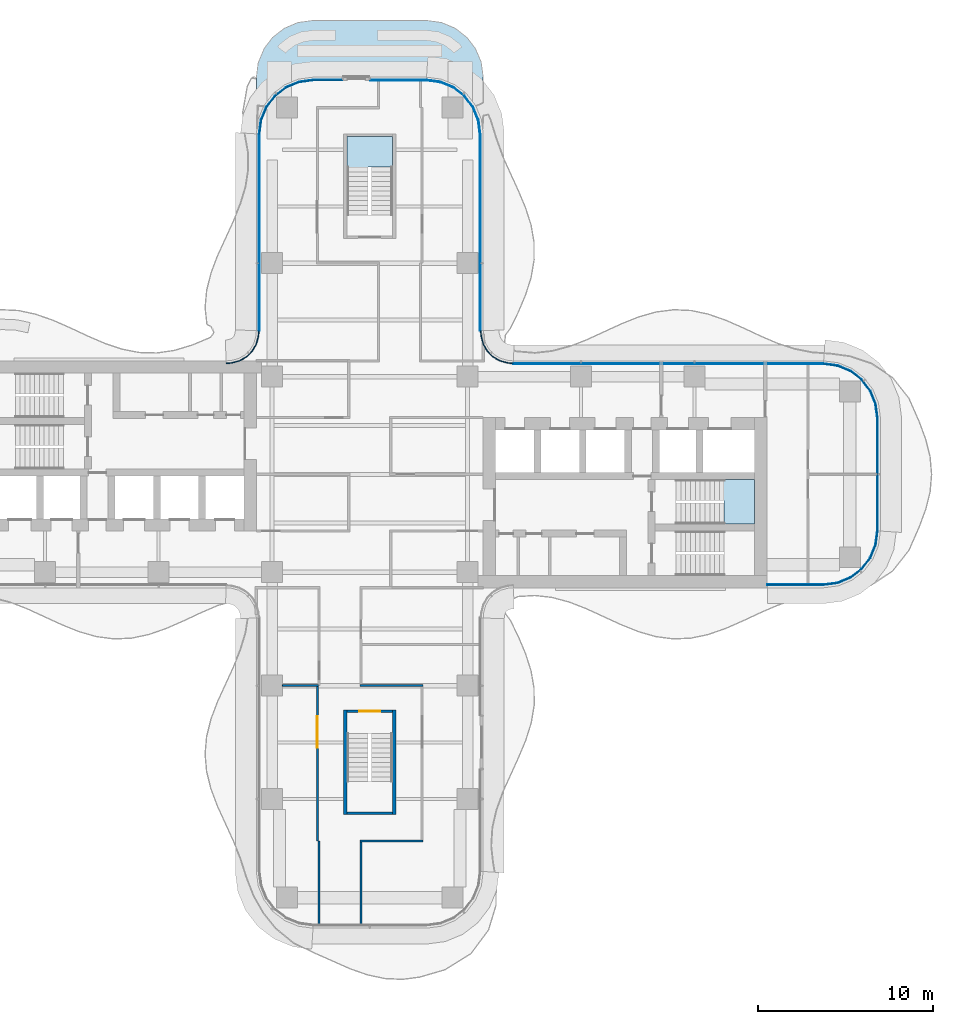
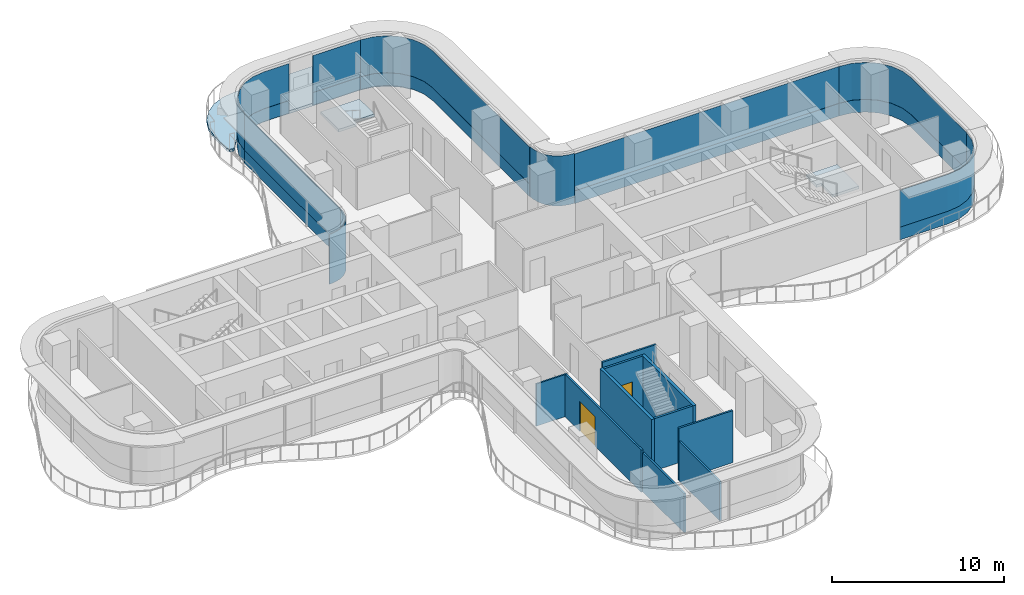
# One storey, part 11 of 17: 16 plates, 10 walls, 3 slabs, 2 doors, 2 openings, 11 elements without a shape of their own.
"""IFC4 building model written with IfcOpenShell, lengths in metres."""

from ifc_helpers import new_model, si_unit, direction, frame, frame_2d, origin, place, context, subcontext, project, spatial, polyline, rectangle, outline, extrude, source, transform, mapped, material, layer, layer_set, type_object, element, fill, aggregate, save


model = new_model("IFC4")

# Units and contexts
model_context = context("Model", 3, precision=1e-05, world=origin(), true_north=direction((0.0, 1.0)))
body_context = subcontext(model_context, "Body", "Model", "MODEL_VIEW")
ifc_project = project(units=[si_unit("LENGTHUNIT", "METRE"), si_unit("AREAUNIT", "SQUARE_METRE"), si_unit("VOLUMEUNIT", "CUBIC_METRE"), si_unit("PLANEANGLEUNIT", "RADIAN"), si_unit("MASSUNIT", "GRAM", prefix="KILO")], contexts=[model_context])

# Site, building, storey
site_placement = place(None, origin())
site = spatial("IfcSite", under=ifc_project, at=site_placement, CompositionType="ELEMENT")
building_placement = place(site_placement, origin())
building = spatial("IfcBuilding", under=site, at=building_placement, Name="Trellis Farm Tower", CompositionType="ELEMENT")
storey_placement = place(building_placement, frame((0.0, 0.0, 185.39990234375)))
storey = spatial("IfcBuildingStorey", under=building, at=storey_placement, Name="L40", CompositionType="ELEMENT", Elevation=185.39990234375)

# Curtain wall, plate
ifc_material_1 = material(Name="Aluminium and glass curtain wall", Category="aluminium")
ifc_layer_1 = layer(ifc_material_1, 0.18994140625)
ifc_layer_set_1 = layer_set([ifc_layer_1], Name="RIBBON CURTAIN WALL CW1")
curtain_wall_type_1 = type_object("IfcCurtainWallType", Name="RIBBON CURTAIN WALL CW1", PredefinedType="NOTDEFINED", material=ifc_layer_set_1)
placement_1 = place(storey_placement, origin())
curtain_wall_1 = element("IfcCurtainWall", 1, at=placement_1, inside=storey, type_object=curtain_wall_type_1, Name="CW1 010", PredefinedType="NOTDEFINED")
ifc_material_2 = material(Name="Clear insulated glass", Category="glass")
ifc_layer_2 = layer(ifc_material_2, 0.0400390625)
ifc_layer_set_2 = layer_set([ifc_layer_2], Name="CW1 GLASS PANEL 40")
plate_type_1 = type_object("IfcPlateType", Name="CW1 GLASS PANEL 40", PredefinedType="CURTAIN_PANEL", material=ifc_layer_set_2)
placement_2 = place(storey_placement, frame((0.0, 0.0, 0.900146484375)))
plate_1 = element("IfcPlate", 2, at=placement_2, type_object=plate_type_1, Name="PL1 010", PredefinedType="CURTAIN_PANEL", context=body_context, shape_type="SweptSolid", body=[
    extrude(outline(polyline([(3.240234375, 22.60009765625), (0.0400390625, 22.60009765625), (0.0400390625, 22.56005859375), (3.237548828125, 22.56005859375), (3.240234375, 22.60009765625)])), origin(), (0.0, 0.0, 1.0), 2.619873046875),
])

curtain_wall_2 = element("IfcCurtainWall", 3, at=placement_1, inside=storey, type_object=curtain_wall_type_1, Name="CW1 011", PredefinedType="NOTDEFINED")
plate_2 = element("IfcPlate", 4, at=placement_2, type_object=plate_type_1, Name="PL1 011", PredefinedType="CURTAIN_PANEL", context=body_context, shape_type="SweptSolid", body=[
    extrude(outline(polyline([(-1.580078125, 22.60009765625), (-3.240234375, 22.60009765625), (-4.052001953125, 22.4931640625), (-4.79931640625, 22.18359375), (-5.441162109375, 21.691162109375), (-5.93359375, 21.04931640625), (-6.2431640625, 20.302001953125), (-6.35009765625, 19.490234375), (-6.31005859375, 19.487548828125), (-6.2041015625, 20.29150390625), (-5.898681640625, 21.029296875), (-5.41259765625, 21.66259765625), (-4.779296875, 22.148681640625), (-4.04150390625, 22.4541015625), (-3.237548828125, 22.56005859375), (-1.580078125, 22.56005859375), (-1.580078125, 22.60009765625)])), origin(), (0.0, 0.0, 1.0), 2.619873046875),
])

# Plate
ifc_material_3 = material(Name="Sandstone faced insulated panel", Category="masonry")
ifc_layer_3 = layer(ifc_material_3, 0.050048828125)
ifc_layer_set_3 = layer_set([ifc_layer_3], Name="CW1 STONE SPANDREL PANEL 50")
plate_type_2 = type_object("IfcPlateType", Name="CW1 STONE SPANDREL PANEL 50", PredefinedType="CURTAIN_PANEL", material=ifc_layer_set_3)
plate_3 = element("IfcPlate", 5, at=placement_1, type_object=plate_type_2, Name="PS1 010", PredefinedType="CURTAIN_PANEL", context=body_context, shape_type="SweptSolid", body=[
    extrude(outline(polyline([(3.240234375, 22.60009765625), (0.0400390625, 22.60009765625), (0.0400390625, 22.550048828125), (3.23681640625, 22.550048828125), (3.240234375, 22.60009765625)])), origin(), (0.0, 0.0, 1.0), 0.900146484375),
])

aggregate(curtain_wall_1, [plate_1, plate_3])

plate_4 = element("IfcPlate", 6, at=placement_1, type_object=plate_type_2, Name="PS1 011", PredefinedType="CURTAIN_PANEL", context=body_context, shape_type="SweptSolid", body=[
    extrude(outline(polyline([(-1.580078125, 22.60009765625), (-3.240234375, 22.60009765625), (-4.052001953125, 22.4931640625), (-4.79931640625, 22.18359375), (-5.441162109375, 21.691162109375), (-5.93359375, 21.04931640625), (-6.2431640625, 20.302001953125), (-6.35009765625, 19.490234375), (-6.300048828125, 19.48681640625), (-6.1943359375, 20.2890625), (-5.889892578125, 21.024169921875), (-5.405517578125, 21.655517578125), (-4.774169921875, 22.139892578125), (-4.0390625, 22.4443359375), (-3.23681640625, 22.550048828125), (-1.580078125, 22.550048828125), (-1.580078125, 22.60009765625)])), origin(), (0.0, 0.0, 1.0), 0.900146484375),
])

aggregate(curtain_wall_2, [plate_2, plate_4])

# Slab
ifc_material_4 = material(Name="Concrete C40/50", Category="concrete")
ifc_layer_4 = layer(ifc_material_4, 0.199951171875)
ifc_layer_set_4 = layer_set([ifc_layer_4], Name="Terrace slab on composite deck 200")
slab_type_1 = type_object("IfcSlabType", Name="Terrace slab on composite deck 200", PredefinedType="FLOOR", material=ifc_layer_set_4)
slab_1_placement = place(storey_placement, frame((0.0, 0.0, -0.199951171875)))
element("IfcSlab", 7, at=slab_1_placement, inside=storey, type_object=slab_type_1, Name="Terrace slab", PredefinedType="FLOOR", context=body_context, shape_type="SweptSolid", body=[
    extrude(outline(polyline([(-6.4189453125, 21.109619140625), (-6.5, 21.2939453125), (-6.5, 22.733642578125), (-6.497802734375, 22.76611328125), (-6.3935546875, 23.55859375), (-6.376708984375, 23.62158203125), (-6.0771484375, 24.344482421875), (-6.04443359375, 24.401123046875), (-5.568115234375, 25.02197265625), (-5.52197265625, 25.068115234375), (-4.901123046875, 25.54443359375), (-4.844482421875, 25.5771484375), (-4.12158203125, 25.876708984375), (-4.05859375, 25.8935546875), (-3.26611328125, 25.997802734375), (-3.233642578125, 26.0), (3.233642578125, 26.0), (3.26611328125, 25.997802734375), (4.05859375, 25.8935546875), (4.12158203125, 25.876708984375), (4.844482421875, 25.5771484375), (4.901123046875, 25.54443359375), (5.52197265625, 25.068115234375), (5.568115234375, 25.02197265625), (6.04443359375, 24.401123046875), (6.0771484375, 24.344482421875), (6.376708984375, 23.62158203125), (6.3935546875, 23.55859375), (6.497802734375, 22.76611328125), (6.5, 22.733642578125), (6.5, 21.2939453125), (6.4189453125, 21.109619140625), (6.228271484375, 21.044921875), (6.052978515625, 21.14111328125), (5.548583984375, 21.798583984375), (4.875244140625, 22.315185546875), (4.09130859375, 22.639892578125), (3.25, 22.75048828125), (-3.25, 22.75048828125), (-4.09130859375, 22.639892578125), (-4.875244140625, 22.315185546875), (-5.548583984375, 21.798583984375), (-6.052978515625, 21.14111328125), (-6.228271484375, 21.044921875), (-6.4189453125, 21.109619140625)])), origin(), (0.0, 0.0, 1.0), 0.199951171875),
])

# Stair, slab
ifc_material_5 = material(Name="Concrete C50/60", Category="concrete")
stair_type = type_object("IfcStairType", Name="CORE EXIT STAIR 22 RISERS 177 MM", PredefinedType="HALF_TURN_STAIR", material=ifc_material_5)
stair_1 = element("IfcStair", 8, at=placement_1, inside=storey, type_object=stair_type, Name="Exit stair N", PredefinedType="HALF_TURN_STAIR")
ifc_layer_5 = layer(ifc_material_5, 0.18994140625)
ifc_layer_set_5 = layer_set([ifc_layer_5], Name="CORE STAIR LANDING 190 CONCRETE C50/60")
slab_type_2 = type_object("IfcSlabType", Name="CORE STAIR LANDING 190 CONCRETE C50/60", PredefinedType="LANDING", material=ifc_layer_set_5)
shared_shape_1 = source(origin(), body_context, "Body", "SweptSolid", [
    extrude(outline(polyline([(-0.10009765625, 17.27197265625), (-1.300048828125, 17.27197265625), (-1.300048828125, 17.60009765625), (-1.300048828125, 19.35009765625), (1.300048828125, 19.35009765625), (1.300048828125, 17.60009765625), (1.300048828125, 17.590087890625), (0.10009765625, 17.590087890625), (0.10009765625, 17.60009765625), (-0.10009765625, 17.60009765625), (-0.10009765625, 17.27197265625)])), origin(), (0.0, 0.0, 1.0), 0.190185546875),
])
placement_3 = place(storey_placement, frame((0.0, 0.0, 1.760009765625)))
slab_2 = element("IfcSlab", 9, at=placement_3, type_object=slab_type_2, Name="STN landing 1", PredefinedType="LANDING", context=body_context, shape_type="MappedRepresentation", body=[
    mapped(shared_shape_1, transform((0.0, 0.0, 0.0))),
])
aggregate(stair_1, [slab_2])

stair_2 = element("IfcStair", 10, at=placement_1, inside=storey, type_object=stair_type, Name="Exit stair E2", PredefinedType="HALF_TURN_STAIR")
shared_shape_2 = source(origin(), body_context, "Body", "SweptSolid", [
    extrude(outline(polyline([(20.2900390625, -2.85009765625), (20.2900390625, -1.64990234375), (20.300048828125, -1.64990234375), (20.300048828125, -1.5), (19.971923828125, -1.5), (19.971923828125, -0.300048828125), (20.300048828125, -0.300048828125), (22.050048828125, -0.300048828125), (22.050048828125, -2.85009765625), (20.300048828125, -2.85009765625), (20.2900390625, -2.85009765625)])), origin(), (0.0, 0.0, 1.0), 0.190185546875),
])
slab_3 = element("IfcSlab", 11, at=placement_3, type_object=slab_type_2, Name="STE2 landing 1", PredefinedType="LANDING", context=body_context, shape_type="MappedRepresentation", body=[
    mapped(shared_shape_2, transform((0.0, 0.0, 0.0))),
])
aggregate(stair_2, [slab_3])

# Curtain wall, plate
ifc_layer_6 = layer(ifc_material_1, 0.166015625)
ifc_layer_set_6 = layer_set([ifc_layer_6], Name="WINTER GARDEN CURTAIN WALL CW3")
curtain_wall_type_2 = type_object("IfcCurtainWallType", Name="WINTER GARDEN CURTAIN WALL CW3", PredefinedType="NOTDEFINED", material=ifc_layer_set_6)
curtain_wall_3 = element("IfcCurtainWall", 12, at=placement_1, inside=storey, type_object=curtain_wall_type_2, Name="CW3 003", PredefinedType="NOTDEFINED")
ifc_layer_7 = layer(ifc_material_2, 0.0458984375)
ifc_layer_set_7 = layer_set([ifc_layer_7], Name="CW3 GLASS PANEL 46")
plate_type_3 = type_object("IfcPlateType", Name="CW3 GLASS PANEL 46", PredefinedType="CURTAIN_PANEL", material=ifc_layer_set_7)
shared_shape_3 = source(origin(), body_context, "Body", "SweptSolid", [
    extrude(outline(polyline([(8.2275390625, 6.3798828125), (8.0078125, 6.394287109375), (7.89208984375, 6.40966796875), (7.462158203125, 6.52490234375), (7.070556640625, 6.7509765625), (6.7509765625, 7.070556640625), (6.52490234375, 7.462158203125), (6.40966796875, 7.89208984375), (6.394287109375, 8.0078125), (6.3798828125, 8.2275390625), (6.333984375, 8.22607421875), (6.3486328125, 8.003173828125), (6.364501953125, 7.883056640625), (6.48193359375, 7.4443359375), (6.714111328125, 7.04248046875), (7.04248046875, 6.714111328125), (7.4443359375, 6.48193359375), (7.883056640625, 6.364501953125), (8.003173828125, 6.3486328125), (8.22607421875, 6.333984375), (8.2275390625, 6.3798828125)])), origin(), (0.0, 0.0, 1.0), 3.550048828125),
])
plate_5 = element("IfcPlate", 13, at=placement_1, type_object=plate_type_3, Name="PL3 003", PredefinedType="CURTAIN_PANEL", context=body_context, shape_type="MappedRepresentation", body=[
    mapped(shared_shape_3, transform((0.0, 0.0, 0.0))),
])
aggregate(curtain_wall_3, [plate_5])

curtain_wall_4 = element("IfcCurtainWall", 14, at=placement_1, inside=storey, type_object=curtain_wall_type_2, Name="CW3 004", PredefinedType="NOTDEFINED")
shared_shape_4 = source(origin(), body_context, "Body", "SweptSolid", [
    extrude(outline(polyline([(-6.3798828125, 8.2275390625), (-6.394287109375, 8.0078125), (-6.40966796875, 7.89208984375), (-6.52490234375, 7.462158203125), (-6.7509765625, 7.070556640625), (-7.070556640625, 6.7509765625), (-7.462158203125, 6.52490234375), (-7.89208984375, 6.40966796875), (-8.0078125, 6.394287109375), (-8.2275390625, 6.3798828125), (-8.22607421875, 6.333984375), (-8.003173828125, 6.3486328125), (-7.883056640625, 6.364501953125), (-7.4443359375, 6.48193359375), (-7.04248046875, 6.714111328125), (-6.714111328125, 7.04248046875), (-6.48193359375, 7.4443359375), (-6.364501953125, 7.883056640625), (-6.3486328125, 8.003173828125), (-6.333984375, 8.22607421875), (-6.3798828125, 8.2275390625)])), origin(), (0.0, 0.0, 1.0), 3.550048828125),
])
plate_6 = element("IfcPlate", 15, at=placement_1, type_object=plate_type_3, Name="PL3 004", PredefinedType="CURTAIN_PANEL", context=body_context, shape_type="MappedRepresentation", body=[
    mapped(shared_shape_4, transform((0.0, 0.0, 0.0))),
])
aggregate(curtain_wall_4, [plate_6])

# Curtain wall, plates
curtain_wall_5 = element("IfcCurtainWall", 16, at=placement_1, inside=storey, type_object=curtain_wall_type_1, Name="CW1 006", PredefinedType="NOTDEFINED")
shared_shape_5 = source(origin(), body_context, "Body", "SweptSolid", [
    extrude(outline(polyline([(22.780029296875, -6.35009765625), (25.990234375, -6.35009765625), (26.802001953125, -6.2431640625), (27.54931640625, -5.93359375), (28.191162109375, -5.441162109375), (28.68359375, -4.79931640625), (28.9931640625, -4.052001953125), (29.10009765625, -3.240234375), (29.06005859375, -3.237548828125), (28.9541015625, -4.04150390625), (28.648681640625, -4.779296875), (28.16259765625, -5.41259765625), (27.529296875, -5.898681640625), (26.79150390625, -6.2041015625), (25.987548828125, -6.31005859375), (22.780029296875, -6.31005859375), (22.780029296875, -6.35009765625)])), origin(), (0.0, 0.0, 1.0), 2.619873046875),
])
plate_7 = element("IfcPlate", 17, at=placement_2, type_object=plate_type_1, Name="PL1 006", PredefinedType="CURTAIN_PANEL", context=body_context, shape_type="MappedRepresentation", body=[
    mapped(shared_shape_5, transform((0.0, 0.0, 0.0))),
])
shared_shape_6 = source(origin(), body_context, "Body", "SweptSolid", [
    extrude(outline(polyline([(22.780029296875, -6.35009765625), (25.990234375, -6.35009765625), (26.802001953125, -6.2431640625), (27.54931640625, -5.93359375), (28.191162109375, -5.441162109375), (28.68359375, -4.79931640625), (28.9931640625, -4.052001953125), (29.10009765625, -3.240234375), (29.050048828125, -3.23681640625), (28.9443359375, -4.0390625), (28.639892578125, -4.774169921875), (28.155517578125, -5.405517578125), (27.524169921875, -5.889892578125), (26.7890625, -6.1943359375), (25.98681640625, -6.300048828125), (22.780029296875, -6.300048828125), (22.780029296875, -6.35009765625)])), origin(), (0.0, 0.0, 1.0), 0.900146484375),
])
plate_8 = element("IfcPlate", 18, at=placement_1, type_object=plate_type_2, Name="PS1 006", PredefinedType="CURTAIN_PANEL", context=body_context, shape_type="MappedRepresentation", body=[
    mapped(shared_shape_6, transform((0.0, 0.0, 0.0))),
])
aggregate(curtain_wall_5, [plate_7, plate_8])

curtain_wall_6 = element("IfcCurtainWall", 19, at=placement_1, inside=storey, type_object=curtain_wall_type_1, Name="CW1 007", PredefinedType="NOTDEFINED")
shared_shape_7 = source(origin(), body_context, "Body", "SweptSolid", [
    extrude(outline(polyline([(29.10009765625, -3.240234375), (29.10009765625, 3.240234375), (28.9931640625, 4.052001953125), (28.68359375, 4.79931640625), (28.191162109375, 5.441162109375), (27.54931640625, 5.93359375), (26.802001953125, 6.2431640625), (25.990234375, 6.35009765625), (25.987548828125, 6.31005859375), (26.79150390625, 6.2041015625), (27.529296875, 5.898681640625), (28.16259765625, 5.41259765625), (28.648681640625, 4.779296875), (28.9541015625, 4.04150390625), (29.06005859375, 3.237548828125), (29.06005859375, -3.237548828125), (29.10009765625, -3.240234375)])), origin(), (0.0, 0.0, 1.0), 2.619873046875),
])
plate_9 = element("IfcPlate", 20, at=placement_2, type_object=plate_type_1, Name="PL1 007", PredefinedType="CURTAIN_PANEL", context=body_context, shape_type="MappedRepresentation", body=[
    mapped(shared_shape_7, transform((0.0, 0.0, 0.0))),
])
shared_shape_8 = source(origin(), body_context, "Body", "SweptSolid", [
    extrude(outline(polyline([(29.10009765625, -3.240234375), (29.10009765625, 3.240234375), (28.9931640625, 4.052001953125), (28.68359375, 4.79931640625), (28.191162109375, 5.441162109375), (27.54931640625, 5.93359375), (26.802001953125, 6.2431640625), (25.990234375, 6.35009765625), (25.98681640625, 6.300048828125), (26.7890625, 6.1943359375), (27.524169921875, 5.889892578125), (28.155517578125, 5.405517578125), (28.639892578125, 4.774169921875), (28.9443359375, 4.0390625), (29.050048828125, 3.23681640625), (29.050048828125, -3.23681640625), (29.10009765625, -3.240234375)])), origin(), (0.0, 0.0, 1.0), 0.900146484375),
])
plate_10 = element("IfcPlate", 21, at=placement_1, type_object=plate_type_2, Name="PS1 007", PredefinedType="CURTAIN_PANEL", context=body_context, shape_type="MappedRepresentation", body=[
    mapped(shared_shape_8, transform((0.0, 0.0, 0.0))),
])
aggregate(curtain_wall_6, [plate_9, plate_10])

curtain_wall_7 = element("IfcCurtainWall", 22, at=placement_1, inside=storey, type_object=curtain_wall_type_1, Name="CW1 008", PredefinedType="NOTDEFINED")
shared_shape_9 = source(origin(), body_context, "Body", "SweptSolid", [
    extrude(outline(polyline([(25.990234375, 6.35009765625), (8.2265625, 6.35009765625), (8.22509765625, 6.31005859375), (25.987548828125, 6.31005859375), (25.990234375, 6.35009765625)])), origin(), (0.0, 0.0, 1.0), 2.619873046875),
])
plate_11 = element("IfcPlate", 23, at=placement_2, type_object=plate_type_1, Name="PL1 008", PredefinedType="CURTAIN_PANEL", context=body_context, shape_type="MappedRepresentation", body=[
    mapped(shared_shape_9, transform((0.0, 0.0, 0.0))),
])
shared_shape_10 = source(origin(), body_context, "Body", "SweptSolid", [
    extrude(outline(polyline([(25.990234375, 6.35009765625), (8.2265625, 6.35009765625), (8.224853515625, 6.300048828125), (25.98681640625, 6.300048828125), (25.990234375, 6.35009765625)])), origin(), (0.0, 0.0, 1.0), 0.900146484375),
])
plate_12 = element("IfcPlate", 24, at=placement_1, type_object=plate_type_2, Name="PS1 008", PredefinedType="CURTAIN_PANEL", context=body_context, shape_type="MappedRepresentation", body=[
    mapped(shared_shape_10, transform((0.0, 0.0, 0.0))),
])
aggregate(curtain_wall_7, [plate_11, plate_12])

curtain_wall_8 = element("IfcCurtainWall", 25, at=placement_1, inside=storey, type_object=curtain_wall_type_1, Name="CW1 009", PredefinedType="NOTDEFINED")
shared_shape_11 = source(origin(), body_context, "Body", "SweptSolid", [
    extrude(outline(polyline([(6.35009765625, 8.2265625), (6.35009765625, 19.490234375), (6.2431640625, 20.302001953125), (5.93359375, 21.04931640625), (5.441162109375, 21.691162109375), (4.79931640625, 22.18359375), (4.052001953125, 22.4931640625), (3.240234375, 22.60009765625), (3.237548828125, 22.56005859375), (4.04150390625, 22.4541015625), (4.779296875, 22.148681640625), (5.41259765625, 21.66259765625), (5.898681640625, 21.029296875), (6.2041015625, 20.29150390625), (6.31005859375, 19.487548828125), (6.31005859375, 8.22509765625), (6.35009765625, 8.2265625)])), origin(), (0.0, 0.0, 1.0), 2.619873046875),
])
plate_13 = element("IfcPlate", 26, at=placement_2, type_object=plate_type_1, Name="PL1 009", PredefinedType="CURTAIN_PANEL", context=body_context, shape_type="MappedRepresentation", body=[
    mapped(shared_shape_11, transform((0.0, 0.0, 0.0))),
])
shared_shape_12 = source(origin(), body_context, "Body", "SweptSolid", [
    extrude(outline(polyline([(6.35009765625, 8.2265625), (6.35009765625, 19.490234375), (6.2431640625, 20.302001953125), (5.93359375, 21.04931640625), (5.441162109375, 21.691162109375), (4.79931640625, 22.18359375), (4.052001953125, 22.4931640625), (3.240234375, 22.60009765625), (3.23681640625, 22.550048828125), (4.0390625, 22.4443359375), (4.774169921875, 22.139892578125), (5.405517578125, 21.655517578125), (5.889892578125, 21.024169921875), (6.1943359375, 20.2890625), (6.300048828125, 19.48681640625), (6.300048828125, 8.224853515625), (6.35009765625, 8.2265625)])), origin(), (0.0, 0.0, 1.0), 0.900146484375),
])
plate_14 = element("IfcPlate", 27, at=placement_1, type_object=plate_type_2, Name="PS1 009", PredefinedType="CURTAIN_PANEL", context=body_context, shape_type="MappedRepresentation", body=[
    mapped(shared_shape_12, transform((0.0, 0.0, 0.0))),
])
aggregate(curtain_wall_8, [plate_13, plate_14])

curtain_wall_9 = element("IfcCurtainWall", 28, at=placement_1, inside=storey, type_object=curtain_wall_type_1, Name="CW1 012", PredefinedType="NOTDEFINED")
shared_shape_13 = source(origin(), body_context, "Body", "SweptSolid", [
    extrude(outline(polyline([(-6.35009765625, 19.490234375), (-6.35009765625, 8.2265625), (-6.31005859375, 8.22509765625), (-6.31005859375, 19.487548828125), (-6.35009765625, 19.490234375)])), origin(), (0.0, 0.0, 1.0), 2.619873046875),
])
plate_15 = element("IfcPlate", 29, at=placement_2, type_object=plate_type_1, Name="PL1 012", PredefinedType="CURTAIN_PANEL", context=body_context, shape_type="MappedRepresentation", body=[
    mapped(shared_shape_13, transform((0.0, 0.0, 0.0))),
])
shared_shape_14 = source(origin(), body_context, "Body", "SweptSolid", [
    extrude(outline(polyline([(-6.35009765625, 19.490234375), (-6.35009765625, 8.2265625), (-6.300048828125, 8.224853515625), (-6.300048828125, 19.48681640625), (-6.35009765625, 19.490234375)])), origin(), (0.0, 0.0, 1.0), 0.900146484375),
])
plate_16 = element("IfcPlate", 30, at=placement_1, type_object=plate_type_2, Name="PS1 012", PredefinedType="CURTAIN_PANEL", context=body_context, shape_type="MappedRepresentation", body=[
    mapped(shared_shape_14, transform((0.0, 0.0, 0.0))),
])
aggregate(curtain_wall_9, [plate_15, plate_16])

# Walls
ifc_material_6 = material(Name="Concrete C70/85", Category="concrete")
ifc_layer_8 = layer(ifc_material_6, 0.199951171875)
ifc_layer_set_8 = layer_set([ifc_layer_8], Name="CORE STAIR ENCLOSURE WALL 200 CONCRETE C70/85")
wall_type_1 = type_object("IfcWallType", Name="CORE STAIR ENCLOSURE WALL 200 CONCRETE C70/85", PredefinedType="SHEAR", material=ifc_layer_set_8)
shared_shape_15 = source(origin(), body_context, "Body", "SweptSolid", [
    extrude(rectangle(XDim=6.0, YDim=0.199951171875, at=frame_2d((3.0, 0.0))), origin(), (0.0, 0.0, 1.0), 3.7001953125),
])
for number, where, z_axis, x_axis, name in (
    (31, (1.39990234375, -13.5, 0.0), (0.0, 0.0, 1.0), (0.0, -1.0, 0.0), "Stair enclosure wall"),
    (32, (-1.39990234375, -13.5, 0.0), (0.0, 0.0, 1.0), (0.0, -1.0, 0.0), "Stair enclosure wall"),
):
    element("IfcWall", number, at=place(storey_placement, frame(where, z_axis=z_axis, x_axis=x_axis)), inside=storey, type_object=wall_type_1, Name=name, PredefinedType="SHEAR", context=body_context, shape_type="MappedRepresentation", body=[
        mapped(shared_shape_15, transform((0.0, 0.0, 0.0))),
    ])

# Wall, opening, door
ifc_layer_9 = layer(ifc_material_6, 0.14990234375)
ifc_layer_set_9 = layer_set([ifc_layer_9], Name="CORE STAIR ENCLOSURE WALL 150 CONCRETE C70/85")
wall_type_2 = type_object("IfcWallType", Name="CORE STAIR ENCLOSURE WALL 150 CONCRETE C70/85", PredefinedType="SHEAR", material=ifc_layer_set_9)
shared_shape_16 = source(origin(), body_context, "Body", "SweptSolid", [
    extrude(rectangle(XDim=2.60009765625, YDim=0.14990234375, at=frame_2d((1.300048828125, 0.0))), origin(), (0.0, 0.0, 1.0), 3.7001953125),
])
wall_1_placement = place(storey_placement, frame((1.300048828125, -13.574951171875, 0.0), z_axis=(0.0, 0.0, 1.0), x_axis=(-1.0, 0.0, 0.0)))
wall_1 = element("IfcWall", 33, at=wall_1_placement, inside=storey, type_object=wall_type_2, Name="Stair enclosure wall", PredefinedType="SHEAR", context=body_context, shape_type="MappedRepresentation", body=[
    mapped(shared_shape_16, transform((0.0, 0.0, 0.0))),
])
shared_shape_17 = source(origin(), body_context, "Body", "SweptSolid", [
    extrude(rectangle(XDim=1.199951171875, YDim=2.10009765625, at=frame_2d((0.60009765625, 1.050048828125))), frame((0.0, 0.0849609375, 0.0), z_axis=(0.0, -1.0, 0.0), x_axis=(1.0, 0.0, 0.0)), (0.0, 0.0, 1.0), 0.169921875),
])
opening_1_placement = place(wall_1_placement, frame((0.699951171875, 0.0, 0.0)))
opening_1 = element("IfcOpeningElement", 34, at=opening_1_placement, cuts=wall_1, Name="Opening DC174", PredefinedType="OPENING", context=body_context, shape_type="MappedRepresentation", body=[
    mapped(shared_shape_17, transform((0.0, 0.0, 0.0))),
])
ifc_material_7 = material(Name="Steel", Category="steel")
door_type_1 = type_object("IfcDoorType", Name="CORE FIRE DOOR 1200 X 2100", OperationType="NOTDEFINED", PredefinedType="DOOR", material=ifc_material_7)
shared_shape_18 = source(origin(), body_context, "Body", "SweptSolid", [
    extrude(rectangle(XDim=1.199951171875, YDim=2.10009765625, at=frame_2d((0.60009765625, 1.050048828125))), frame((0.0, 0.02490234375, 0.0), z_axis=(0.0, -1.0, 0.0), x_axis=(1.0, 0.0, 0.0)), (0.0, 0.0, 1.0), 0.050048828125),
])
door_1_placement = place(opening_1_placement, origin())
door_1 = element("IfcDoor", 35, at=door_1_placement, inside=storey, type_object=door_type_1, Name="Core door", OperationType="SINGLE_SWING_RIGHT", OverallHeight=2.10009765625, OverallWidth=1.199951171875, PredefinedType="DOOR", context=body_context, shape_type="MappedRepresentation", body=[
    mapped(shared_shape_18, transform((0.0, 0.0, 0.0))),
])
fill(opening_1, door_1)

# Walls
wall_2_placement = place(storey_placement, frame((1.300048828125, -19.425048828125, 0.0), z_axis=(0.0, 0.0, 1.0), x_axis=(-1.0, 0.0, 0.0)))
element("IfcWall", 36, at=wall_2_placement, inside=storey, type_object=wall_type_2, Name="Stair enclosure wall", PredefinedType="SHEAR", context=body_context, shape_type="MappedRepresentation", body=[
    mapped(shared_shape_16, transform((0.0, 0.0, 0.0))),
])
ifc_material_8 = material(Name="Plasterboard on steel studs", Category="steel")
ifc_layer_10 = layer(ifc_material_8, 0.10009765625)
ifc_layer_set_10 = layer_set([ifc_layer_10], Name="PARTITION 100 STUD EI 30")
wall_type_3 = type_object("IfcWallType", Name="PARTITION 100 STUD EI 30", PredefinedType="PARTITIONING", material=ifc_layer_set_10)
shared_shape_19 = source(origin(), body_context, "Body", "SweptSolid", [
    extrude(rectangle(XDim=2.0625, YDim=0.10009765625, at=frame_2d((1.03125, 0.0))), origin(), (0.0, 0.0, 1.0), 2.99658203125),
])
wall_3_placement = place(storey_placement, frame((-5.0, -12.10009765625, 0.0), z_axis=(0.0, 0.0, 1.0), x_axis=(1.0, 0.0, 0.0)))
element("IfcWall", 37, at=wall_3_placement, inside=storey, type_object=wall_type_3, Name="Partition PW2", PredefinedType="PARTITIONING", context=body_context, shape_type="MappedRepresentation", body=[
    mapped(shared_shape_19, transform((0.0, 0.0, 0.0))),
])
ifc_material_9 = material(Name="Plasterboard on steel studs, mineral wool", Category="steel")
ifc_layer_11 = layer(ifc_material_9, 0.125)
ifc_layer_set_11 = layer_set([ifc_layer_11], Name="PARTITION 125 STUD EI 60")
wall_type_4 = type_object("IfcWallType", Name="PARTITION 125 STUD EI 60", PredefinedType="PARTITIONING", material=ifc_layer_set_11)
shared_shape_20 = source(origin(), body_context, "Body", "SweptSolid", [
    extrude(rectangle(XDim=3.625, YDim=0.125, at=frame_2d((1.8125, 0.0))), origin(), (0.0, 0.0, 1.0), 2.99658203125),
])
wall_4_placement = place(storey_placement, frame((-0.5625, -12.10009765625, 0.0), z_axis=(0.0, 0.0, 1.0), x_axis=(1.0, 0.0, 0.0)))
element("IfcWall", 38, at=wall_4_placement, inside=storey, type_object=wall_type_4, Name="Partition PW1", PredefinedType="PARTITIONING", context=body_context, shape_type="MappedRepresentation", body=[
    mapped(shared_shape_20, transform((0.0, 0.0, 0.0))),
])

# Wall, opening, door
shared_shape_21 = source(origin(), body_context, "Body", "SweptSolid", [
    extrude(rectangle(XDim=8.85009765625, YDim=0.125, at=frame_2d((4.425048828125, 0.0))), origin(), (0.0, 0.0, 1.0), 2.99658203125),
])
wall_5_placement = place(storey_placement, frame((-3.0, -21.0, 0.0), z_axis=(0.0, 0.0, 1.0), x_axis=(0.0, 1.0, 0.0)))
wall_5 = element("IfcWall", 39, at=wall_5_placement, inside=storey, type_object=wall_type_4, Name="Partition PW1", PredefinedType="PARTITIONING", context=body_context, shape_type="MappedRepresentation", body=[
    mapped(shared_shape_21, transform((0.0, 0.0, 0.0))),
])
shared_shape_22 = source(origin(), body_context, "Body", "SweptSolid", [
    extrude(rectangle(XDim=1.800048828125, YDim=2.10009765625, at=frame_2d((0.89990234375, 1.050048828125))), frame((0.0, 0.072509765625, 0.0), z_axis=(0.0, -1.0, 0.0), x_axis=(1.0, 0.0, 0.0)), (0.0, 0.0, 1.0), 0.14501953125),
])
opening_2_placement = place(wall_5_placement, frame((5.35009765625, 0.0, 0.0)))
opening_2 = element("IfcOpeningElement", 40, at=opening_2_placement, cuts=wall_5, Name="Opening D201", PredefinedType="OPENING", context=body_context, shape_type="MappedRepresentation", body=[
    mapped(shared_shape_22, transform((0.0, 0.0, 0.0))),
])
ifc_material_10 = material(Name="Fire-rated timber door leaf in a hollow metal frame", Category="wood")
door_type_2 = type_object("IfcDoorType", Name="DOOR PAIR 1800x2100 FD30S", OperationType="NOTDEFINED", PredefinedType="DOOR", material=ifc_material_10)
shared_shape_23 = source(origin(), body_context, "Body", "SweptSolid", [
    extrude(rectangle(XDim=1.800048828125, YDim=2.10009765625, at=frame_2d((0.89990234375, 1.050048828125))), frame((0.0, 0.02490234375, 0.0), z_axis=(0.0, -1.0, 0.0), x_axis=(1.0, 0.0, 0.0)), (0.0, 0.0, 1.0), 0.050048828125),
])
door_2_placement = place(opening_2_placement, origin())
door_2 = element("IfcDoor", 41, at=door_2_placement, inside=storey, type_object=door_type_2, Name="Door D201", OperationType="DOUBLE_DOOR_SINGLE_SWING", OverallHeight=2.10009765625, OverallWidth=1.800048828125, PredefinedType="DOOR", context=body_context, shape_type="MappedRepresentation", body=[
    mapped(shared_shape_23, transform((0.0, 0.0, 0.0))),
])
fill(opening_2, door_2)

# Walls
shared_shape_24 = source(origin(), body_context, "Body", "SweptSolid", [
    extrude(rectangle(XDim=4.800048828125, YDim=0.125, at=frame_2d((2.39990234375, 0.0))), origin(), (0.0, 0.0, 1.0), 2.780029296875),
])
wall_6_placement = place(storey_placement, frame((-2.89990234375, -25.800048828125, 0.0), z_axis=(0.0, 0.0, 1.0), x_axis=(0.0, 1.0, 0.0)))
element("IfcWall", 42, at=wall_6_placement, inside=storey, type_object=wall_type_4, Name="Partition PW1", PredefinedType="PARTITIONING", context=body_context, shape_type="MappedRepresentation", body=[
    mapped(shared_shape_24, transform((0.0, 0.0, 0.0))),
])
shared_shape_25 = source(origin(), body_context, "Body", "SweptSolid", [
    extrude(rectangle(XDim=4.737548828125, YDim=0.125, at=frame_2d((2.36865234375, 0.0))), origin(), (0.0, 0.0, 1.0), 2.780029296875),
])
wall_7_placement = place(storey_placement, frame((-0.5, -21.0625, 0.0), z_axis=(0.0, 0.0, 1.0), x_axis=(0.0, -1.0, 0.0)))
element("IfcWall", 43, at=wall_7_placement, inside=storey, type_object=wall_type_4, Name="Partition PW1", PredefinedType="PARTITIONING", context=body_context, shape_type="MappedRepresentation", body=[
    mapped(shared_shape_25, transform((0.0, 0.0, 0.0))),
])
shared_shape_26 = source(origin(), body_context, "Body", "SweptSolid", [
    extrude(rectangle(XDim=3.625, YDim=0.125, at=frame_2d((1.8125, 0.0))), origin(), (0.0, 0.0, 1.0), 3.7001953125),
])
wall_8_placement = place(storey_placement, frame((3.0625, -21.0, 0.0), z_axis=(0.0, 0.0, 1.0), x_axis=(-1.0, 0.0, 0.0)))
element("IfcWall", 44, at=wall_8_placement, inside=storey, type_object=wall_type_4, Name="Partition PW1", PredefinedType="PARTITIONING", context=body_context, shape_type="MappedRepresentation", body=[
    mapped(shared_shape_26, transform((0.0, 0.0, 0.0))),
])

save(model, "model.ifc")
